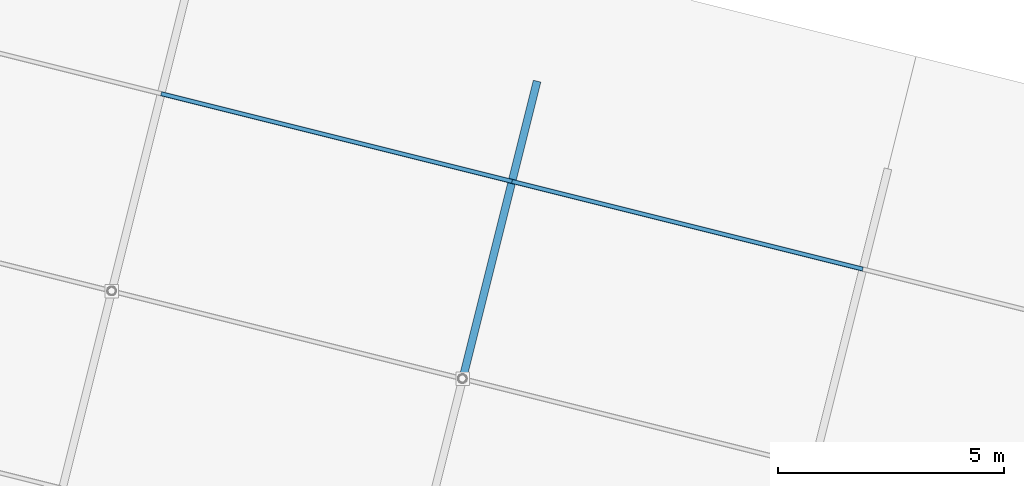
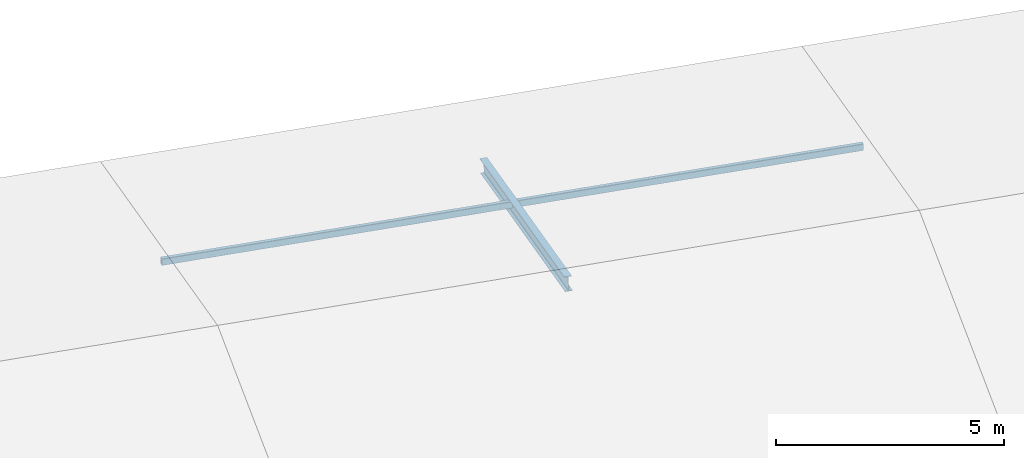
# One storey, part 68 of 107: 3 members.
"""IFC4 building model written with IfcOpenShell, lengths in metres."""

from ifc_helpers import new_model, si_unit, derived_unit, direction, frame, origin, origin_2d, place, context, subcontext, project, spatial, hollow_rectangle, i_section, extrude, material, material_profile, profile_set, type_object, element, save


model = new_model("IFC4")

# Units and contexts
model_context = context("Model", 3, precision=1e-05, world=origin(), true_north=direction((0.0, 1.0)))
body_context = subcontext(model_context, "Body", "Model", "MODEL_VIEW")
ifc_project = project(units=[si_unit("LENGTHUNIT", "METRE"), si_unit("AREAUNIT", "SQUARE_METRE"), si_unit("VOLUMEUNIT", "CUBIC_METRE"), si_unit("PLANEANGLEUNIT", "RADIAN"), si_unit("MASSUNIT", "GRAM", prefix="KILO"), si_unit("THERMODYNAMICTEMPERATUREUNIT", "KELVIN"), si_unit("TIMEUNIT", "SECOND"), derived_unit("THERMALTRANSMITTANCEUNIT", [(si_unit("MASSUNIT", "GRAM", prefix="KILO"), 1), (si_unit("THERMODYNAMICTEMPERATUREUNIT", "KELVIN"), -1), (si_unit("TIMEUNIT", "SECOND"), -3)])], contexts=[model_context])

# Site, building, storey
site_placement = place(None, origin())
site = spatial("IfcSite", under=ifc_project, at=site_placement, CompositionType="ELEMENT")
building_placement = place(site_placement, origin())
building = spatial("IfcBuilding", under=site, at=building_placement, Name="Cambertide Market Hall", CompositionType="ELEMENT")
storey_placement = place(building_placement, frame((0.0, 0.0, 18.300048828125)))
storey = spatial("IfcBuildingStorey", under=building, at=storey_placement, Name="RF", CompositionType="ELEMENT", Elevation=18.300048828125)

# Members
ifc_material_1 = material(Name="Steel S355", Category="steel")
ifc_material_profile_1 = material_profile(ifc_material_1, i_section(OverallWidth=0.169921875, OverallDepth=0.360107421875, WebThickness=0.008056640625, FlangeThickness=0.0126953125, FilletRadius=0.01806640625, at=origin_2d()), Name="IPE 360")
ifc_profile_set_1 = profile_set([ifc_material_profile_1], Name="Steel S355")
member_type_1 = type_object("IfcMemberType", Name="Radial Fan Rafter IPE 360", PredefinedType="RAFTER", material=ifc_profile_set_1)
member_placement = place(storey_placement, frame((151.717041015625, 109.94384765625, 1.003173828125), z_axis=(0.237675269494, 0.950665635794, -0.199362271235), x_axis=(-0.970140372565, 0.242544135198, 0.0)))
element("IfcMember", 1, at=member_placement, inside=storey, type_object=member_type_1, Name="RAF-V4-6-4", PredefinedType="RAFTER", context=body_context, shape_type="SweptSolid", body=[
    extrude(i_section(OverallWidth=0.169921875, OverallDepth=0.360107421875, WebThickness=0.008056640625, FlangeThickness=0.0126953125, FilletRadius=0.01806640625, at=origin_2d()), origin(), (0.0, 0.0, 1.0), 6.888427734375),
])
ifc_material_2 = material(Name="Steel S275", Category="steel")
ifc_material_profile_2 = material_profile(ifc_material_2, hollow_rectangle(XDim=0.10009765625, YDim=0.179931640625, WallThickness=0.00634765625, InnerFilletRadius=0.00634765625, OuterFilletRadius=0.0126953125, at=origin_2d()), Name="RHS 180x100x6.3")
ifc_profile_set_2 = profile_set([ifc_material_profile_2], Name="Steel S275")
member_type_2 = type_object("IfcMemberType", Name="Roof Purlin RHS 180x100x6.3", PredefinedType="PURLIN", material=ifc_profile_set_2)
for number, where, z_axis, x_axis, name in (
    (2, (145.04736328125, 116.25, 0.11767578125), (0.970137114374, -0.242557167103, 0.0), (0.242557167103, 0.970137114374, 0.0), "PUR-V4-5-247"),
    (3, (152.808349609375, 114.3095703125, 0.11767578125), (0.970146090314, -0.242521263911, 0.0), (0.242521263911, 0.970146090314, 0.0), "PUR-V4-6-247"),
):
    element("IfcMember", number, at=place(storey_placement, frame(where, z_axis=z_axis, x_axis=x_axis)), inside=storey, type_object=member_type_2, Name=name, PredefinedType="PURLIN", context=body_context, shape_type="SweptSolid", body=[
        extrude(hollow_rectangle(XDim=0.10009765625, YDim=0.179931640625, WallThickness=0.00634765625, InnerFilletRadius=0.00634765625, OuterFilletRadius=0.0126953125, at=origin_2d()), origin(), (0.0, 0.0, 1.0), 8.0),
    ])

save(model, "model.ifc")
